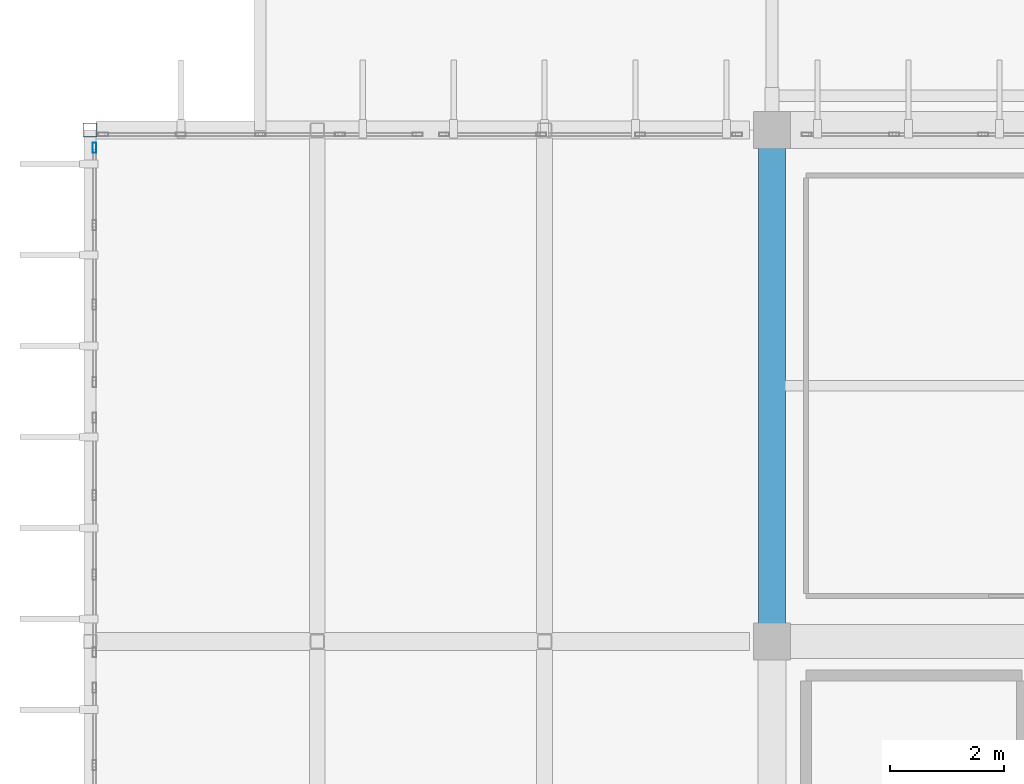
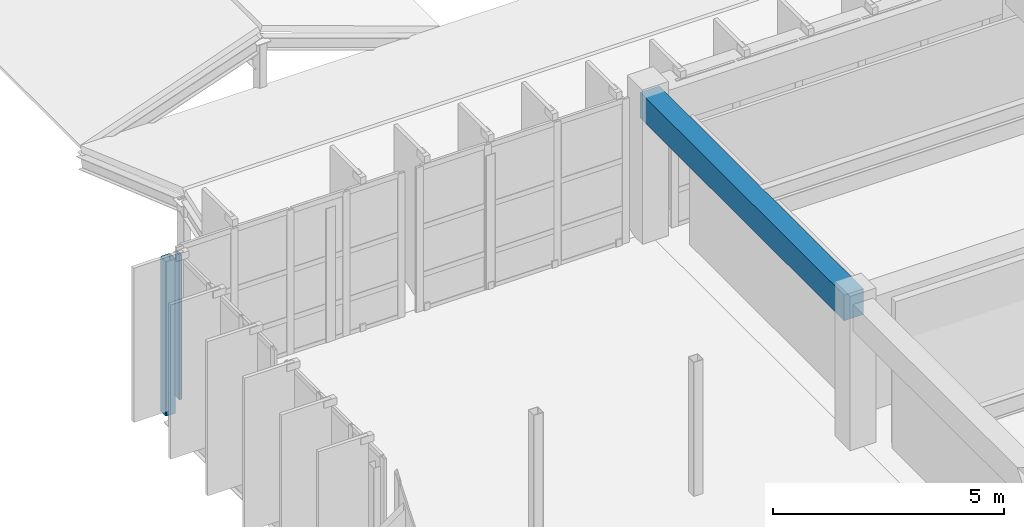
# One storey, part 34 of 80: 2 members, 1 beam, 1 element without a shape of its own.
"""IFC4 building model written with IfcOpenShell, lengths in metres."""

import ifcopenshell
import ifcopenshell.guid

model = None  # the IFC model being written
_history = None  # IfcOwnerHistory: only IFC2X3 demands one
_inside = {}  # id of a spatial element -> (the spatial element, [elements in it])
_under = {}  # id of a project, library or spatial element -> (it, [spatial elements below it])
_declared = {}  # id of a project -> (the project, [libraries it declares])
_typed = {}  # id of a type object -> (the type object, [elements of that type])
_made_of = {}  # id of a material, layer set ... -> (it, [elements and type objects made of it])


def new_model(schema):
    """Start an empty IFC model of exactly this schema.

    Asked for "IFC4X3", IfcOpenShell would pick the latest addendum, in which some entities
    have other attributes; the version numbers below select the first issue.
    IFC2X3 requires an IfcOwnerHistory on every rooted entity: one is made here for all.
    """
    global model, _history
    if schema == "IFC4X3":
        model = ifcopenshell.file(schema_version=(4, 3, 0, 0))
    else:
        model = ifcopenshell.file(schema=schema)
    _inside.clear()
    _under.clear()
    _declared.clear()
    _typed.clear()
    _made_of.clear()
    _history = None
    if model.schema == "IFC2X3":
        org = make("IfcOrganization", Name="unknown")
        user = make(
            "IfcPersonAndOrganization",
            ThePerson=make("IfcPerson", FamilyName="unknown"),
            TheOrganization=org,
        )
        app = make(
            "IfcApplication",
            ApplicationDeveloper=org,
            Version="unknown",
            ApplicationFullName="unknown",
            ApplicationIdentifier="unknown",
        )
        _history = make(
            "IfcOwnerHistory",
            OwningUser=user,
            OwningApplication=app,
            ChangeAction="ADDED",
            CreationDate=0,
        )
    return model


def make(cls, **values):
    """One entity of the class cls with the attributes given. An attribute that is None is left unset."""
    return model.create_entity(
        cls, **{name: value for name, value in values.items() if value is not None}
    )


def rooted(cls, **values):
    """An entity with a GlobalId (a new one), such as an element, a storey or a relation."""
    return make(cls, GlobalId=ifcopenshell.guid.new(), OwnerHistory=_history, **values)


def si_unit(unit_type, name, prefix=None):
    """IfcSIUnit, for example si_unit("LENGTHUNIT", "METRE", prefix="MILLI")."""
    return make("IfcSIUnit", UnitType=unit_type, Prefix=prefix, Name=name)


def assignment(units):
    """IfcUnitAssignment: the units of a project."""
    return None if units is None else make("IfcUnitAssignment", Units=units)


def point(xyz):
    """IfcCartesianPoint."""
    return None if xyz is None else make("IfcCartesianPoint", Coordinates=xyz)


def direction(xyz):
    """IfcDirection."""
    return None if xyz is None else make("IfcDirection", DirectionRatios=xyz)


def frame(location, z_axis=None, x_axis=None):
    """IfcAxis2Placement3D, a coordinate frame: its origin and axes. An axis left out is left unset."""
    return make(
        "IfcAxis2Placement3D",
        Location=point(location),
        Axis=direction(z_axis),
        RefDirection=direction(x_axis),
    )


def frame_2d(location, x_axis=None):
    """IfcAxis2Placement2D, a coordinate frame in the plane: its origin and x axis."""
    return make(
        "IfcAxis2Placement2D", Location=point(location), RefDirection=direction(x_axis)
    )


def origin():
    """The frame at (0, 0, 0) with its axes left unset."""
    return frame((0.0, 0.0, 0.0))


def origin_2d():
    """The frame at (0, 0) in the plane with its x axis left unset."""
    return frame_2d((0.0, 0.0))


def place(relative_to, where):
    """IfcLocalPlacement: puts the frame where relative to a parent placement (None: the world)."""
    return make(
        "IfcLocalPlacement", PlacementRelTo=relative_to, RelativePlacement=where
    )


def context(
    kind, dimensions, precision=None, world=None, true_north=None, identifier=None
):
    """IfcGeometricRepresentationContext, for example the 3D "Model" context."""
    return make(
        "IfcGeometricRepresentationContext",
        ContextIdentifier=identifier,
        ContextType=kind,
        CoordinateSpaceDimension=dimensions,
        Precision=precision,
        WorldCoordinateSystem=world,
        TrueNorth=true_north,
    )


def subcontext(parent, identifier, kind, view, scale=None):
    """IfcGeometricRepresentationSubContext, for example "Body" below "Model"."""
    return make(
        "IfcGeometricRepresentationSubContext",
        ContextIdentifier=identifier,
        ContextType=kind,
        ParentContext=parent,
        TargetScale=scale,
        TargetView=view,
    )


def project(units=None, contexts=None):
    """IfcProject with its units and contexts."""
    return rooted(
        "IfcProject",
        Name="project",
        RepresentationContexts=contexts,
        UnitsInContext=assignment(units),
    )


def spatial(cls, under=None, at=None, **own):
    """A site, building, storey or space (cls), placed at a placement, below another one or the project."""
    s = rooted(cls, ObjectPlacement=at, **own)
    if under is not None:
        _under.setdefault(under.id(), (under, []))[1].append(s)
    return s


def profile(cls, at=None, kind="AREA", **sizes):
    """A parametric profile (cls). Its sizes go by their IFC names, for example OverallWidth=200.0."""
    return make(cls, ProfileType=kind, Position=at, **sizes)


def rectangle(**sizes):
    """IfcRectangleProfileDef."""
    return profile("IfcRectangleProfileDef", **sizes)


def hollow_rectangle(**sizes):
    """IfcRectangleHollowProfileDef."""
    return profile("IfcRectangleHollowProfileDef", **sizes)


def extrude(swept, where, along, depth):
    """IfcExtrudedAreaSolid: the profile swept, set in the frame where, extruded along a direction by depth."""
    return make(
        "IfcExtrudedAreaSolid",
        SweptArea=swept,
        Position=where,
        ExtrudedDirection=direction(along),
        Depth=depth,
    )


def shape(context_of_items, identifier, shape_type, items):
    """IfcShapeRepresentation: the items that make up one representation, for example the "Body"."""
    return make(
        "IfcShapeRepresentation",
        ContextOfItems=context_of_items,
        RepresentationIdentifier=identifier,
        RepresentationType=shape_type,
        Items=items,
    )


def material(Name=None, Category=None):
    """IfcMaterial."""
    return make("IfcMaterial", Name=Name, Category=Category)


def material_profile(
    of_material, cross_section, Name=None, Category=None, Priority=None
):
    """IfcMaterialProfile: a cross section and its material."""
    return make(
        "IfcMaterialProfile",
        Name=Name,
        Material=of_material,
        Profile=cross_section,
        Priority=Priority,
        Category=Category,
    )


def profile_set(profiles, Name=None, composite=None):
    """IfcMaterialProfileSet."""
    return make(
        "IfcMaterialProfileSet",
        Name=Name,
        MaterialProfiles=profiles,
        CompositeProfile=composite,
    )


def made_of(thing, what):
    """Note that an element or type object is made of a material, layer set ...; save() writes the relation."""
    if what is not None:
        _made_of.setdefault(what.id(), (what, []))[1].append(thing)
    return thing


def type_object(cls, material=None, **own):
    """A type object (cls), such as IfcWallType, which elements share."""
    return made_of(rooted(cls, **own), material)


def element(
    cls,
    number,
    at=None,
    inside=None,
    cuts=None,
    type_object=None,
    material=None,
    context=None,
    identifier="Body",
    shape_type=None,
    held_by="IfcProductDefinitionShape",
    body=None,
    shapes=None,
    **own,
):
    """One element of the class cls, such as IfcWall. Its Tag is "e" and its number.

    at: its placement. inside: the storey or other place that contains it. cuts: it is an
    opening in that element (IfcRelVoidsElement). A single representation is given by context,
    identifier, shape_type and body (its items); several are given by shapes. held_by: the class
    of the entity that holds the representations. save() writes the other relations.
    """
    e = rooted(cls, Tag="e%d" % number, ObjectPlacement=at, **own)
    if body is not None:
        shapes = [shape(context, identifier, shape_type, body)]
    if shapes is not None:
        e.Representation = make(held_by, Representations=shapes)
    if inside is not None:
        _inside.setdefault(inside.id(), (inside, []))[1].append(e)
    if cuts is not None:
        rooted(
            "IfcRelVoidsElement", RelatingBuildingElement=cuts, RelatedOpeningElement=e
        )
    if type_object is not None:
        _typed.setdefault(type_object.id(), (type_object, []))[1].append(e)
    return made_of(e, material)


def aggregate(whole, parts):
    """IfcRelAggregates: a whole, such as a stair, and the parts it consists of."""
    return rooted("IfcRelAggregates", RelatingObject=whole, RelatedObjects=parts)


def save(model, path):
    """Write the relations noted so far, then the file.

    IfcRelAggregates (storeys below a building ...), IfcRelContainedInSpatialStructure (elements
    in a storey), IfcRelDefinesByType, IfcRelAssociatesMaterial and IfcRelDeclares: one each for
    every whole, place, type object, material and project.
    """
    for whole, parts in _under.values():
        aggregate(whole, parts)
    for where, things in _inside.values():
        rooted(
            "IfcRelContainedInSpatialStructure",
            RelatedElements=things,
            RelatingStructure=where,
        )
    for kind, things in _typed.values():
        rooted("IfcRelDefinesByType", RelatedObjects=things, RelatingType=kind)
    for what, things in _made_of.values():
        rooted("IfcRelAssociatesMaterial", RelatedObjects=things, RelatingMaterial=what)
    for by, libraries in _declared.values():
        rooted("IfcRelDeclares", RelatingContext=by, RelatedDefinitions=libraries)
    model.write(path)


model = new_model("IFC4")

# Units and contexts
model_context = context("Model", 3, precision=1e-05, world=origin(), true_north=direction((0.0, 1.0)))
body_context = subcontext(model_context, "Body", "Model", "MODEL_VIEW")
ifc_project = project(units=[si_unit("LENGTHUNIT", "METRE"), si_unit("AREAUNIT", "SQUARE_METRE"), si_unit("VOLUMEUNIT", "CUBIC_METRE"), si_unit("PLANEANGLEUNIT", "RADIAN"), si_unit("MASSUNIT", "GRAM", prefix="KILO")], contexts=[model_context])

# Site, building, storey
site_placement = place(None, origin())
site = spatial("IfcSite", under=ifc_project, at=site_placement, CompositionType="ELEMENT")
building_placement = place(site_placement, origin())
building = spatial("IfcBuilding", under=site, at=building_placement, Name="Miravela Opera House", CompositionType="ELEMENT")
storey_placement = place(building_placement, frame((0.0, 0.0, 17.679931640625)))
storey = spatial("IfcBuildingStorey", under=building, at=storey_placement, Name="L04", CompositionType="ELEMENT", Elevation=17.679931640625)

# Curtain wall, member
ifc_material_1 = material(Name="Anodised architectural bronze aluminium 6063-T6", Category="aluminium")
curtain_wall_type = type_object("IfcCurtainWallType", Name="ARC-CW-02", PredefinedType="NOTDEFINED", material=ifc_material_1)
curtain_wall_placement = place(storey_placement, origin())
curtain_wall = element("IfcCurtainWall", 1, at=curtain_wall_placement, inside=storey, type_object=curtain_wall_type, Name="Cantilever West Wrapper Glazing B8 CW-L04-034", PredefinedType="NOTDEFINED")
ifc_material_profile_1 = material_profile(ifc_material_1, hollow_rectangle(XDim=0.06494140625, YDim=0.179931640625, WallThickness=0.00390625, InnerFilletRadius=0.001953125, OuterFilletRadius=0.00390625, at=origin_2d()), Name="CWM-65X180")
ifc_profile_set_1 = profile_set([ifc_material_profile_1])
member_type_1 = type_object("IfcMemberType", Name="ARC-CWM-180", PredefinedType="MULLION", material=ifc_profile_set_1)
member_1_placement = place(storey_placement, frame((15.080078125, 74.6875, 0.0), z_axis=(0.0, 0.0, 1.0), x_axis=(-1.0, 0.0, 0.0)))
member_1 = element("IfcMember", 2, at=member_1_placement, type_object=member_type_1, Name="CW-02 mullion 4", PredefinedType="MULLION", context=body_context, shape_type="SweptSolid", body=[
    extrude(hollow_rectangle(XDim=0.06494140625, YDim=0.179931640625, WallThickness=0.00390625, InnerFilletRadius=0.001953125, OuterFilletRadius=0.00390625, at=origin_2d()), origin(), (0.0, 0.0, 1.0), 3.820068359375),
])
aggregate(curtain_wall, [member_1])

# Beam
ifc_material_2 = material(Name="Concrete C35/45", Category="concrete")
ifc_material_profile_2 = material_profile(ifc_material_2, rectangle(XDim=0.47998046875, YDim=0.679931640625, at=origin_2d()), Name="RC-BM-480X680")
ifc_profile_set_2 = profile_set([ifc_material_profile_2])
beam_type = type_object("IfcBeamType", Name="STR-BM-RC480X680", PredefinedType="BEAM", material=ifc_profile_set_2)
beam_placement = place(storey_placement, frame((27.0, 66.080078125, 3.5), z_axis=(0.0, 1.0, 0.0), x_axis=(-1.0, 0.0, 0.0)))
element("IfcBeam", 3, at=beam_placement, inside=storey, type_object=beam_type, Name="Floor Girder L04 4/H-I", PredefinedType="BEAM", context=body_context, shape_type="SweptSolid", body=[
    extrude(rectangle(XDim=0.47998046875, YDim=0.679931640625, at=origin_2d()), origin(), (0.0, 0.0, 1.0), 8.83984375),
])

# Member
ifc_material_3 = material(Name="Hollow structural steel ASTM A500 Gr. C", Category="steel")
ifc_material_profile_3 = material_profile(ifc_material_3, hollow_rectangle(XDim=0.25, YDim=0.25, WallThickness=0.011962890625, InnerFilletRadius=0.011962890625, OuterFilletRadius=0.02392578125, at=origin_2d()), Name="HSS250X250X12")
ifc_profile_set_3 = profile_set([ifc_material_profile_3])
member_type_2 = type_object("IfcMemberType", Name="STR-MEM-CANT-POST2", PredefinedType="POST", material=ifc_profile_set_3)
member_2_placement = place(storey_placement, frame((15.0, 75.0, -0.5400390625), z_axis=(0.0, 0.0, 1.0), x_axis=(1.0, 0.0, 0.0)))
element("IfcMember", 4, at=member_2_placement, inside=storey, type_object=member_type_2, Name="Upper Wrapper Truss Post L04 X=15.0", PredefinedType="POST", context=body_context, shape_type="SweptSolid", body=[
    extrude(hollow_rectangle(XDim=0.25, YDim=0.25, WallThickness=0.011962890625, InnerFilletRadius=0.011962890625, OuterFilletRadius=0.02392578125, at=origin_2d()), origin(), (0.0, 0.0, 1.0), 4.080078125),
])

save(model, "model.ifc")
